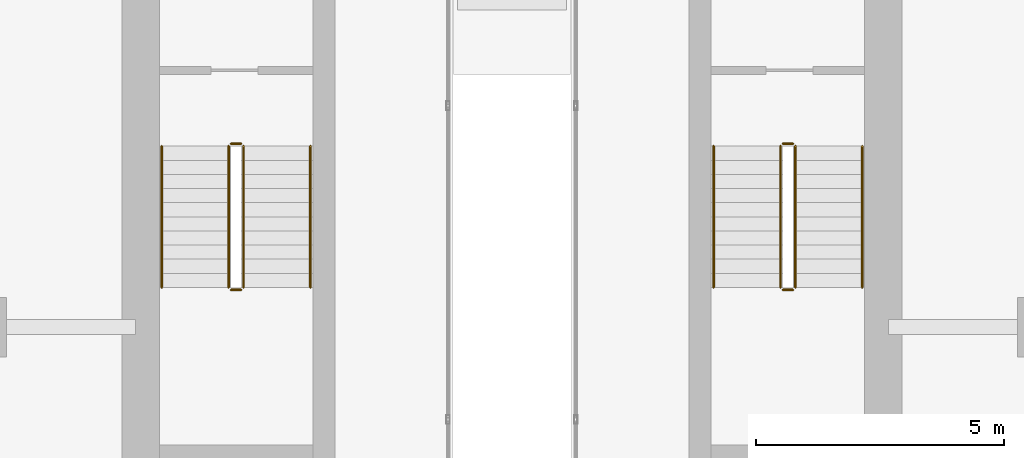
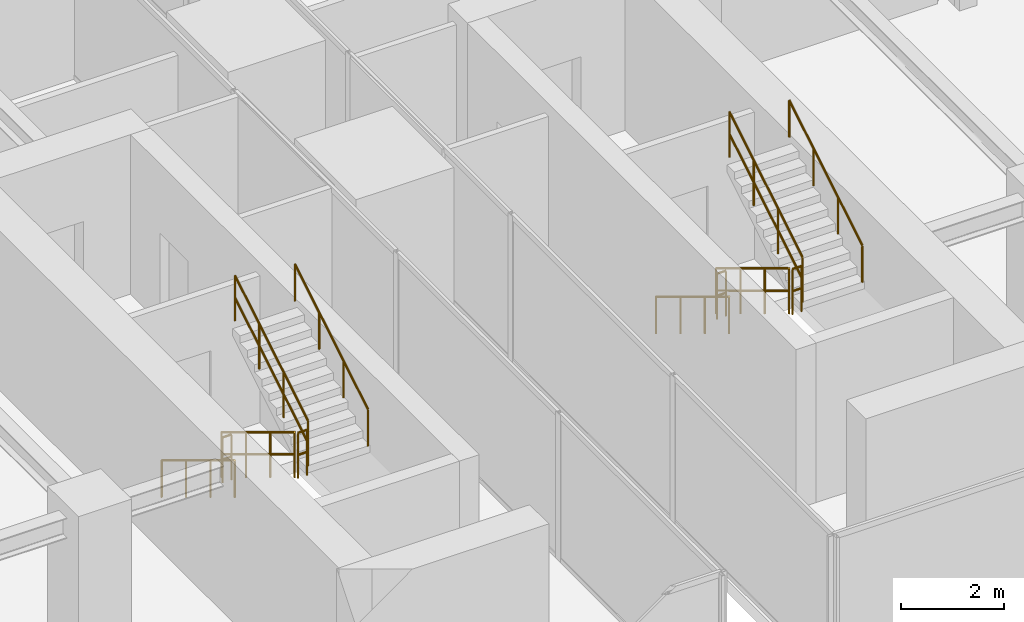
# One storey, part 25 of 25: 12 railings.
"""IFC4 building model written with IfcOpenShell, lengths in metres."""

from ifc_helpers import new_model, si_unit, direction, frame, origin, origin_2d, place, context, subcontext, project, spatial, circle, extrude, material, layer, layer_set, type_object, element, save


model = new_model("IFC4")

# Units and contexts
model_context = context("Model", 3, precision=1e-05, world=origin(), true_north=direction((0.0, 1.0)))
body_context = subcontext(model_context, "Body", "Model", "MODEL_VIEW")
ifc_project = project(units=[si_unit("LENGTHUNIT", "METRE"), si_unit("AREAUNIT", "SQUARE_METRE"), si_unit("VOLUMEUNIT", "CUBIC_METRE"), si_unit("PLANEANGLEUNIT", "RADIAN"), si_unit("MASSUNIT", "GRAM", prefix="KILO")], contexts=[model_context])

# Site, building, storey
site_placement = place(None, origin())
site = spatial("IfcSite", under=ifc_project, at=site_placement, CompositionType="ELEMENT")
building_placement = place(site_placement, origin())
building = spatial("IfcBuilding", under=site, at=building_placement, Name="Krantzveldt Concourse Tower", CompositionType="ELEMENT")
storey_placement = place(building_placement, frame((0.0, 0.0, 367.050048828125)))
storey = spatial("IfcBuildingStorey", under=building, at=storey_placement, Name="L90", CompositionType="ELEMENT", Elevation=367.050048828125)

# Railings
ifc_material = material(Name="Stainless steel 316L", Category="steel")
ifc_layer_1 = layer(ifc_material, 0.06005859375, Name="Stainless steel 316L", Category="steel")
ifc_layer_set_1 = layer_set([ifc_layer_1], Name="Stainless steel 316L (RL-GUARD-1120)")
railing_type_1 = type_object("IfcRailingType", Name="RL-GUARD-1120", PredefinedType="GUARDRAIL", material=ifc_layer_set_1)
railing_1_placement = place(storey_placement, frame((30.280029296875, 19.550048828125, 0.172607421875)))
element("IfcRailing", 1, at=railing_1_placement, inside=storey, type_object=railing_type_1, Name="L90 ST-1 stair guard 1", PredefinedType="GUARDRAIL", context=body_context, shape_type="SweptSolid", body=[
    extrude(circle(Radius=0.02392578125, at=origin_2d()), frame((0.0, 0.0, 1.076171875), z_axis=(0.0, -0.855202751398, 0.518293598264), x_axis=(1.0, 0.0, 0.0)), (0.0, 0.0, 1.0), 3.332763671875),
    extrude(circle(Radius=0.02392578125, at=origin_2d()), frame((0.0, 0.0, 0.550048828125), z_axis=(0.0, -0.855202751398, 0.518293598264), x_axis=(1.0, 0.0, 0.0)), (0.0, 0.0, 1.0), 3.332763671875),
    extrude(circle(Radius=0.02099609375, at=origin_2d()), origin(), (0.0, 0.0, 1.0), 1.052001953125),
    extrude(circle(Radius=0.02099609375, at=origin_2d()), frame((0.0, -0.949951171875, 0.57568359375)), (0.0, 0.0, 1.0), 1.052001953125),
    extrude(circle(Radius=0.02099609375, at=origin_2d()), frame((0.0, -1.900146484375, 1.151611328125)), (0.0, 0.0, 1.0), 1.052001953125),
    extrude(circle(Radius=0.02099609375, at=origin_2d()), frame((0.0, -2.85009765625, 1.727294921875)), (0.0, 0.0, 1.0), 1.052001953125),
])
railing_2_placement = place(storey_placement, frame((30.330078125, 16.64990234375, 1.89990234375)))
element("IfcRailing", 2, at=railing_2_placement, inside=storey, type_object=railing_type_1, Name="L90 ST-1 stair guard 2", PredefinedType="GUARDRAIL", context=body_context, shape_type="SweptSolid", body=[
    extrude(circle(Radius=0.02392578125, at=origin_2d()), frame((0.0, 0.0, 1.076171875), z_axis=(1.0, 0.0, 0.0), x_axis=(0.0, 1.0, 0.0)), (0.0, 0.0, 1.0), 0.199951171875),
    extrude(circle(Radius=0.02392578125, at=origin_2d()), frame((0.0, 0.0, 0.550048828125), z_axis=(1.0, 0.0, 0.0), x_axis=(0.0, 1.0, 0.0)), (0.0, 0.0, 1.0), 0.199951171875),
    extrude(circle(Radius=0.02099609375, at=origin_2d()), origin(), (0.0, 0.0, 1.0), 1.052001953125),
    extrude(circle(Radius=0.02099609375, at=origin_2d()), frame((0.199951171875, 0.0, 0.0)), (0.0, 0.0, 1.0), 1.052001953125),
])
railing_3_placement = place(storey_placement, frame((30.580078125, 16.699951171875, 2.07275390625)))
element("IfcRailing", 3, at=railing_3_placement, inside=storey, type_object=railing_type_1, Name="L90 ST-1 stair guard 3", PredefinedType="GUARDRAIL", context=body_context, shape_type="SweptSolid", body=[
    extrude(circle(Radius=0.02392578125, at=origin_2d()), frame((0.0, 0.0, 1.076171875), z_axis=(0.0, 0.855202751398, 0.518293598264), x_axis=(-1.0, 0.0, 0.0)), (0.0, 0.0, 1.0), 3.332763671875),
    extrude(circle(Radius=0.02392578125, at=origin_2d()), frame((0.0, 0.0, 0.550048828125), z_axis=(0.0, 0.855202751398, 0.518293598264), x_axis=(-1.0, 0.0, 0.0)), (0.0, 0.0, 1.0), 3.332763671875),
    extrude(circle(Radius=0.02099609375, at=origin_2d()), origin(), (0.0, 0.0, 1.0), 1.052001953125),
    extrude(circle(Radius=0.02099609375, at=origin_2d()), frame((0.0, 0.949951171875, 0.57568359375)), (0.0, 0.0, 1.0), 1.052001953125),
    extrude(circle(Radius=0.02099609375, at=origin_2d()), frame((0.0, 1.900146484375, 1.151611328125)), (0.0, 0.0, 1.0), 1.052001953125),
    extrude(circle(Radius=0.02099609375, at=origin_2d()), frame((0.0, 2.85009765625, 1.727294921875)), (0.0, 0.0, 1.0), 1.052001953125),
])
railing_4_placement = place(storey_placement, frame((30.330078125, 19.60009765625, 0.0)))
element("IfcRailing", 4, at=railing_4_placement, inside=storey, type_object=railing_type_1, Name="L90 ST-1 stair guard 4", PredefinedType="GUARDRAIL", context=body_context, shape_type="SweptSolid", body=[
    extrude(circle(Radius=0.02392578125, at=origin_2d()), frame((0.0, 0.0, 1.076171875), z_axis=(1.0, 0.0, 0.0), x_axis=(0.0, 1.0, 0.0)), (0.0, 0.0, 1.0), 0.199951171875),
    extrude(circle(Radius=0.02392578125, at=origin_2d()), frame((0.0, 0.0, 0.550048828125), z_axis=(1.0, 0.0, 0.0), x_axis=(0.0, 1.0, 0.0)), (0.0, 0.0, 1.0), 0.199951171875),
    extrude(circle(Radius=0.02099609375, at=origin_2d()), origin(), (0.0, 0.0, 1.0), 1.052001953125),
    extrude(circle(Radius=0.02099609375, at=origin_2d()), frame((0.199951171875, 0.0, 0.0)), (0.0, 0.0, 1.0), 1.052001953125),
])
railing_5_placement = place(storey_placement, frame((41.419921875, 19.550048828125, 0.172607421875)))
element("IfcRailing", 5, at=railing_5_placement, inside=storey, type_object=railing_type_1, Name="L90 ST-2 stair guard 1", PredefinedType="GUARDRAIL", context=body_context, shape_type="SweptSolid", body=[
    extrude(circle(Radius=0.02392578125, at=origin_2d()), frame((0.0, 0.0, 1.076171875), z_axis=(0.0, -0.855202751398, 0.518293598264), x_axis=(1.0, 0.0, 0.0)), (0.0, 0.0, 1.0), 3.332763671875),
    extrude(circle(Radius=0.02392578125, at=origin_2d()), frame((0.0, 0.0, 0.550048828125), z_axis=(0.0, -0.855202751398, 0.518293598264), x_axis=(1.0, 0.0, 0.0)), (0.0, 0.0, 1.0), 3.332763671875),
    extrude(circle(Radius=0.02099609375, at=origin_2d()), origin(), (0.0, 0.0, 1.0), 1.052001953125),
    extrude(circle(Radius=0.02099609375, at=origin_2d()), frame((0.0, -0.949951171875, 0.57568359375)), (0.0, 0.0, 1.0), 1.052001953125),
    extrude(circle(Radius=0.02099609375, at=origin_2d()), frame((0.0, -1.900146484375, 1.151611328125)), (0.0, 0.0, 1.0), 1.052001953125),
    extrude(circle(Radius=0.02099609375, at=origin_2d()), frame((0.0, -2.85009765625, 1.727294921875)), (0.0, 0.0, 1.0), 1.052001953125),
])
railing_6_placement = place(storey_placement, frame((41.469970703125, 16.64990234375, 1.89990234375)))
element("IfcRailing", 6, at=railing_6_placement, inside=storey, type_object=railing_type_1, Name="L90 ST-2 stair guard 2", PredefinedType="GUARDRAIL", context=body_context, shape_type="SweptSolid", body=[
    extrude(circle(Radius=0.02392578125, at=origin_2d()), frame((0.0, 0.0, 1.076171875), z_axis=(1.0, 0.0, 0.0), x_axis=(0.0, 1.0, 0.0)), (0.0, 0.0, 1.0), 0.199951171875),
    extrude(circle(Radius=0.02392578125, at=origin_2d()), frame((0.0, 0.0, 0.550048828125), z_axis=(1.0, 0.0, 0.0), x_axis=(0.0, 1.0, 0.0)), (0.0, 0.0, 1.0), 0.199951171875),
    extrude(circle(Radius=0.02099609375, at=origin_2d()), origin(), (0.0, 0.0, 1.0), 1.052001953125),
    extrude(circle(Radius=0.02099609375, at=origin_2d()), frame((0.199951171875, 0.0, 0.0)), (0.0, 0.0, 1.0), 1.052001953125),
])
railing_7_placement = place(storey_placement, frame((41.719970703125, 16.699951171875, 2.07275390625)))
element("IfcRailing", 7, at=railing_7_placement, inside=storey, type_object=railing_type_1, Name="L90 ST-2 stair guard 3", PredefinedType="GUARDRAIL", context=body_context, shape_type="SweptSolid", body=[
    extrude(circle(Radius=0.02392578125, at=origin_2d()), frame((0.0, 0.0, 1.076171875), z_axis=(0.0, 0.855202751398, 0.518293598264), x_axis=(-1.0, 0.0, 0.0)), (0.0, 0.0, 1.0), 3.332763671875),
    extrude(circle(Radius=0.02392578125, at=origin_2d()), frame((0.0, 0.0, 0.550048828125), z_axis=(0.0, 0.855202751398, 0.518293598264), x_axis=(-1.0, 0.0, 0.0)), (0.0, 0.0, 1.0), 3.332763671875),
    extrude(circle(Radius=0.02099609375, at=origin_2d()), origin(), (0.0, 0.0, 1.0), 1.052001953125),
    extrude(circle(Radius=0.02099609375, at=origin_2d()), frame((0.0, 0.949951171875, 0.57568359375)), (0.0, 0.0, 1.0), 1.052001953125),
    extrude(circle(Radius=0.02099609375, at=origin_2d()), frame((0.0, 1.900146484375, 1.151611328125)), (0.0, 0.0, 1.0), 1.052001953125),
    extrude(circle(Radius=0.02099609375, at=origin_2d()), frame((0.0, 2.85009765625, 1.727294921875)), (0.0, 0.0, 1.0), 1.052001953125),
])
railing_8_placement = place(storey_placement, frame((41.469970703125, 19.60009765625, 0.0)))
element("IfcRailing", 8, at=railing_8_placement, inside=storey, type_object=railing_type_1, Name="L90 ST-2 stair guard 4", PredefinedType="GUARDRAIL", context=body_context, shape_type="SweptSolid", body=[
    extrude(circle(Radius=0.02392578125, at=origin_2d()), frame((0.0, 0.0, 1.076171875), z_axis=(1.0, 0.0, 0.0), x_axis=(0.0, 1.0, 0.0)), (0.0, 0.0, 1.0), 0.199951171875),
    extrude(circle(Radius=0.02392578125, at=origin_2d()), frame((0.0, 0.0, 0.550048828125), z_axis=(1.0, 0.0, 0.0), x_axis=(0.0, 1.0, 0.0)), (0.0, 0.0, 1.0), 0.199951171875),
    extrude(circle(Radius=0.02099609375, at=origin_2d()), origin(), (0.0, 0.0, 1.0), 1.052001953125),
    extrude(circle(Radius=0.02099609375, at=origin_2d()), frame((0.199951171875, 0.0, 0.0)), (0.0, 0.0, 1.0), 1.052001953125),
])
ifc_layer_2 = layer(ifc_material, 0.050048828125, Name="Stainless steel 316L", Category="steel")
ifc_layer_set_2 = layer_set([ifc_layer_2], Name="Stainless steel 316L (RL-HANDRAIL-920)")
railing_type_2 = type_object("IfcRailingType", Name="RL-HANDRAIL-920", PredefinedType="HANDRAIL", material=ifc_layer_set_2)
railing_9_placement = place(storey_placement, frame((28.929931640625, 19.550048828125, 0.172607421875)))
element("IfcRailing", 9, at=railing_9_placement, inside=storey, type_object=railing_type_2, Name="L90 ST-1 stair handrail 1", PredefinedType="HANDRAIL", context=body_context, shape_type="SweptSolid", body=[
    extrude(circle(Radius=0.02392578125, at=origin_2d()), frame((0.0, 0.0, 0.8759765625), z_axis=(0.0, -0.855202751398, 0.518293598264), x_axis=(1.0, 0.0, 0.0)), (0.0, 0.0, 1.0), 3.332763671875),
    extrude(circle(Radius=0.02099609375, at=origin_2d()), origin(), (0.0, 0.0, 1.0), 0.851806640625),
    extrude(circle(Radius=0.02099609375, at=origin_2d()), frame((0.0, -0.949951171875, 0.57568359375)), (0.0, 0.0, 1.0), 0.851806640625),
    extrude(circle(Radius=0.02099609375, at=origin_2d()), frame((0.0, -1.900146484375, 1.151611328125)), (0.0, 0.0, 1.0), 0.851806640625),
    extrude(circle(Radius=0.02099609375, at=origin_2d()), frame((0.0, -2.85009765625, 1.727294921875)), (0.0, 0.0, 1.0), 0.851806640625),
])
railing_10_placement = place(storey_placement, frame((31.929931640625, 16.699951171875, 2.07275390625)))
element("IfcRailing", 10, at=railing_10_placement, inside=storey, type_object=railing_type_2, Name="L90 ST-1 stair handrail 2", PredefinedType="HANDRAIL", context=body_context, shape_type="SweptSolid", body=[
    extrude(circle(Radius=0.02392578125, at=origin_2d()), frame((0.0, 0.0, 0.8759765625), z_axis=(0.0, 0.855202751398, 0.518293598264), x_axis=(-1.0, 0.0, 0.0)), (0.0, 0.0, 1.0), 3.332763671875),
    extrude(circle(Radius=0.02099609375, at=origin_2d()), origin(), (0.0, 0.0, 1.0), 0.851806640625),
    extrude(circle(Radius=0.02099609375, at=origin_2d()), frame((0.0, 0.949951171875, 0.57568359375)), (0.0, 0.0, 1.0), 0.851806640625),
    extrude(circle(Radius=0.02099609375, at=origin_2d()), frame((0.0, 1.900146484375, 1.151611328125)), (0.0, 0.0, 1.0), 0.851806640625),
    extrude(circle(Radius=0.02099609375, at=origin_2d()), frame((0.0, 2.85009765625, 1.727294921875)), (0.0, 0.0, 1.0), 0.851806640625),
])
railing_11_placement = place(storey_placement, frame((40.070068359375, 19.550048828125, 0.172607421875)))
element("IfcRailing", 11, at=railing_11_placement, inside=storey, type_object=railing_type_2, Name="L90 ST-2 stair handrail 1", PredefinedType="HANDRAIL", context=body_context, shape_type="SweptSolid", body=[
    extrude(circle(Radius=0.02392578125, at=origin_2d()), frame((0.0, 0.0, 0.8759765625), z_axis=(0.0, -0.855202751398, 0.518293598264), x_axis=(1.0, 0.0, 0.0)), (0.0, 0.0, 1.0), 3.332763671875),
    extrude(circle(Radius=0.02099609375, at=origin_2d()), origin(), (0.0, 0.0, 1.0), 0.851806640625),
    extrude(circle(Radius=0.02099609375, at=origin_2d()), frame((0.0, -0.949951171875, 0.57568359375)), (0.0, 0.0, 1.0), 0.851806640625),
    extrude(circle(Radius=0.02099609375, at=origin_2d()), frame((0.0, -1.900146484375, 1.151611328125)), (0.0, 0.0, 1.0), 0.851806640625),
    extrude(circle(Radius=0.02099609375, at=origin_2d()), frame((0.0, -2.85009765625, 1.727294921875)), (0.0, 0.0, 1.0), 0.851806640625),
])
railing_12_placement = place(storey_placement, frame((43.070068359375, 16.699951171875, 2.07275390625)))
element("IfcRailing", 12, at=railing_12_placement, inside=storey, type_object=railing_type_2, Name="L90 ST-2 stair handrail 2", PredefinedType="HANDRAIL", context=body_context, shape_type="SweptSolid", body=[
    extrude(circle(Radius=0.02392578125, at=origin_2d()), frame((0.0, 0.0, 0.8759765625), z_axis=(0.0, 0.855202751398, 0.518293598264), x_axis=(-1.0, 0.0, 0.0)), (0.0, 0.0, 1.0), 3.332763671875),
    extrude(circle(Radius=0.02099609375, at=origin_2d()), origin(), (0.0, 0.0, 1.0), 0.851806640625),
    extrude(circle(Radius=0.02099609375, at=origin_2d()), frame((0.0, 0.949951171875, 0.57568359375)), (0.0, 0.0, 1.0), 0.851806640625),
    extrude(circle(Radius=0.02099609375, at=origin_2d()), frame((0.0, 1.900146484375, 1.151611328125)), (0.0, 0.0, 1.0), 0.851806640625),
    extrude(circle(Radius=0.02099609375, at=origin_2d()), frame((0.0, 2.85009765625, 1.727294921875)), (0.0, 0.0, 1.0), 0.851806640625),
])

save(model, "model.ifc")
